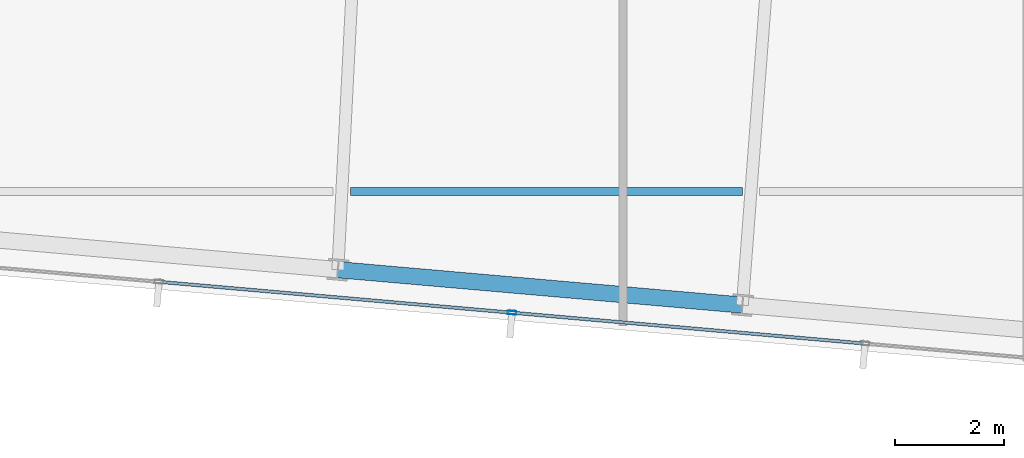
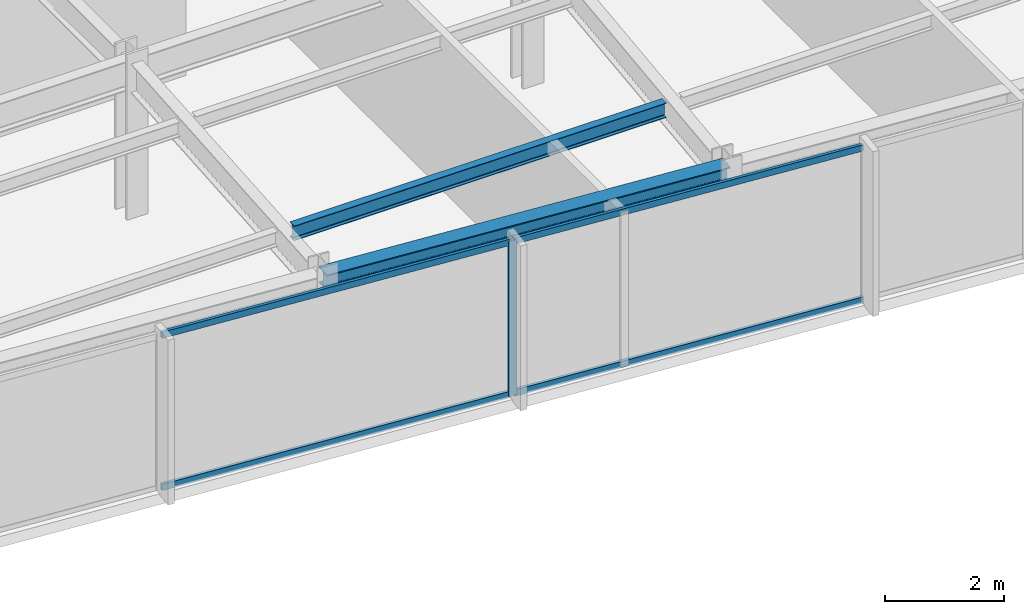
# One storey, part 7 of 32: 5 members, 2 beams, 1 element without a shape of its own.
"""IFC4 building model written with IfcOpenShell, lengths in metres."""

from ifc_helpers import new_model, si_unit, direction, frame, origin, origin_2d, place, context, subcontext, project, spatial, hollow_rectangle, i_section, extrude, material, material_profile, profile_set, type_object, element, aggregate, save


model = new_model("IFC4")

# Units and contexts
model_context = context("Model", 3, precision=1e-05, world=origin(), true_north=direction((0.0, 1.0)))
body_context = subcontext(model_context, "Body", "Model", "MODEL_VIEW")
ifc_project = project(units=[si_unit("LENGTHUNIT", "METRE"), si_unit("AREAUNIT", "SQUARE_METRE"), si_unit("VOLUMEUNIT", "CUBIC_METRE"), si_unit("PLANEANGLEUNIT", "RADIAN"), si_unit("MASSUNIT", "GRAM", prefix="KILO")], contexts=[model_context])

# Site, building, storey
site_placement = place(None, origin())
site = spatial("IfcSite", under=ifc_project, at=site_placement, CompositionType="ELEMENT")
building_placement = place(site_placement, origin())
building = spatial("IfcBuilding", under=site, at=building_placement, Name="Yelkora Congress Tower", CompositionType="ELEMENT")
storey_placement = place(building_placement, frame((0.0, 0.0, 265.89990234375)))
storey = spatial("IfcBuildingStorey", under=building, at=storey_placement, Name="L74", CompositionType="ELEMENT", Elevation=265.89990234375)

# Beams
ifc_material_1 = material(Name="Steel S355J2", Category="steel")
ifc_material_profile_1 = material_profile(ifc_material_1, i_section(OverallWidth=0.14990234375, OverallDepth=0.300048828125, WebThickness=0.007080078125, FlangeThickness=0.0107421875, FilletRadius=0.014892578125, at=origin_2d()), Name="IPE 300")
ifc_profile_set_1 = profile_set([ifc_material_profile_1], Name="Steel S355J2")
beam_type_1 = type_object("IfcBeamType", Name="BM-JOIST-IPE300", PredefinedType="JOIST", material=ifc_profile_set_1)
beam_1_placement = place(storey_placement, frame((30.595703125, 19.58447265625, 3.030029296875), z_axis=(1.0, 0.0, 0.0), x_axis=(0.0, 1.0, 0.0)))
element("IfcBeam", 1, at=beam_1_placement, inside=storey, type_object=beam_type_1, Name="L74 Composite Floor Joist 2", PredefinedType="JOIST", context=body_context, shape_type="SweptSolid", body=[
    extrude(i_section(OverallWidth=0.14990234375, OverallDepth=0.300048828125, WebThickness=0.007080078125, FlangeThickness=0.0107421875, FilletRadius=0.014892578125, at=origin_2d()), origin(), (0.0, 0.0, 1.0), 7.219970703125),
])
ifc_material_profile_2 = material_profile(ifc_material_1, i_section(OverallWidth=0.300048828125, OverallDepth=0.340087890625, WebThickness=0.011962890625, FlangeThickness=0.021484375, FilletRadius=0.027099609375, at=origin_2d()), Name="HEB 340")
ifc_profile_set_2 = profile_set([ifc_material_profile_2], Name="Steel S355J2")
beam_type_2 = type_object("IfcBeamType", Name="BM-SPAN-HEB340", PredefinedType="SPANDREL", material=ifc_profile_set_2)
beam_2_placement = place(storey_placement, frame((30.362548828125, 18.14111328125, 3.010009765625), z_axis=(0.99619601894, -0.087140644067, 0.0), x_axis=(0.087140644067, 0.99619601894, 0.0)))
element("IfcBeam", 2, at=beam_2_placement, inside=storey, type_object=beam_type_2, Name="L74 Perimeter Beam 4", PredefinedType="SPANDREL", context=body_context, shape_type="SweptSolid", body=[
    extrude(i_section(OverallWidth=0.300048828125, OverallDepth=0.340087890625, WebThickness=0.011962890625, FlangeThickness=0.021484375, FilletRadius=0.027099609375, at=origin_2d()), origin(), (0.0, 0.0, 1.0), 7.4833984375),
])

# Curtain wall, members
ifc_material_2 = material(Name="Anodised aluminium and insulated glass", Category="aluminium")
curtain_wall_type = type_object("IfcCurtainWallType", Name="CW-SYS-B5", PredefinedType="NOTDEFINED", material=ifc_material_2)
curtain_wall_placement = place(storey_placement, origin())
curtain_wall = element("IfcCurtainWall", 3, at=curtain_wall_placement, inside=storey, type_object=curtain_wall_type, Name="L74 Unitised Curtain Wall 20", PredefinedType="NOTDEFINED")
ifc_material_3 = material(Name="Anodised aluminium 6063-T6", Category="aluminium")
ifc_material_profile_3 = material_profile(ifc_material_3, hollow_rectangle(XDim=0.06494140625, YDim=0.159912109375, WallThickness=0.00390625, at=origin_2d()), Name="ALU 65x160x4")
ifc_profile_set_3 = profile_set([ifc_material_profile_3], Name="Anodised aluminium 6063-T6")
member_type_1 = type_object("IfcMemberType", Name="MEM-ML-B5", PredefinedType="MULLION", material=ifc_profile_set_3)
member_1_placement = place(storey_placement, frame((33.571533203125, 17.348388671875, 0.0), z_axis=(0.0, 0.0, 1.0), x_axis=(-0.087156829793, -0.996194602987, 0.0)))
member_1 = element("IfcMember", 4, at=member_1_placement, type_object=member_type_1, Name="CW-B5 mullion 4", PredefinedType="MULLION", context=body_context, shape_type="SweptSolid", body=[
    extrude(hollow_rectangle(XDim=0.06494140625, YDim=0.159912109375, WallThickness=0.00390625, at=origin_2d()), origin(), (0.0, 0.0, 1.0), 3.18017578125),
])
ifc_material_profile_4 = material_profile(ifc_material_3, hollow_rectangle(XDim=0.06005859375, YDim=0.1298828125, WallThickness=0.00390625, at=origin_2d()), Name="ALU 60x130x4")
ifc_profile_set_4 = profile_set([ifc_material_profile_4], Name="Anodised aluminium 6063-T6")
member_type_2 = type_object("IfcMemberType", Name="MEM-TR-B5", PredefinedType="USERDEFINED", material=ifc_profile_set_4)
member_2_placement = place(storey_placement, frame((40.045654296875, 16.781982421875, 0.030029296875), z_axis=(-0.996192979814, 0.08717538052, 0.0), x_axis=(-0.08717538052, -0.996192979814, 0.0)))
member_2 = element("IfcMember", 5, at=member_2_placement, type_object=member_type_2, Name="CW-B5 transom 3.1", ObjectType="TRANSOM", PredefinedType="USERDEFINED", context=body_context, shape_type="SweptSolid", body=[
    extrude(hollow_rectangle(XDim=0.06005859375, YDim=0.1298828125, WallThickness=0.00390625, at=origin_2d()), origin(), (0.0, 0.0, 1.0), 6.466552734375),
])
member_3_placement = place(storey_placement, frame((40.045654296875, 16.781982421875, 3.150146484375), z_axis=(-0.996192979814, 0.08717538052, 0.0), x_axis=(-0.08717538052, -0.996192979814, 0.0)))
member_3 = element("IfcMember", 6, at=member_3_placement, type_object=member_type_2, Name="CW-B5 transom 3.2", ObjectType="TRANSOM", PredefinedType="USERDEFINED", context=body_context, shape_type="SweptSolid", body=[
    extrude(hollow_rectangle(XDim=0.06005859375, YDim=0.1298828125, WallThickness=0.00390625, at=origin_2d()), origin(), (0.0, 0.0, 1.0), 6.466552734375),
])
member_4_placement = place(storey_placement, frame((33.5390625, 17.351318359375, 0.030029296875), z_axis=(-0.996196257862, 0.087137912649, 0.0), x_axis=(-0.087137912649, -0.996196257862, 0.0)))
member_4 = element("IfcMember", 7, at=member_4_placement, type_object=member_type_2, Name="CW-B5 transom 4.1", ObjectType="TRANSOM", PredefinedType="USERDEFINED", context=body_context, shape_type="SweptSolid", body=[
    extrude(hollow_rectangle(XDim=0.06005859375, YDim=0.1298828125, WallThickness=0.00390625, at=origin_2d()), origin(), (0.0, 0.0, 1.0), 6.466552734375),
])
member_5_placement = place(storey_placement, frame((33.5390625, 17.351318359375, 3.150146484375), z_axis=(-0.996196257862, 0.087137912649, 0.0), x_axis=(-0.087137912649, -0.996196257862, 0.0)))
member_5 = element("IfcMember", 8, at=member_5_placement, type_object=member_type_2, Name="CW-B5 transom 4.2", ObjectType="TRANSOM", PredefinedType="USERDEFINED", context=body_context, shape_type="SweptSolid", body=[
    extrude(hollow_rectangle(XDim=0.06005859375, YDim=0.1298828125, WallThickness=0.00390625, at=origin_2d()), origin(), (0.0, 0.0, 1.0), 6.466552734375),
])
aggregate(curtain_wall, [member_1, member_2, member_3, member_4, member_5])

save(model, "model.ifc")
